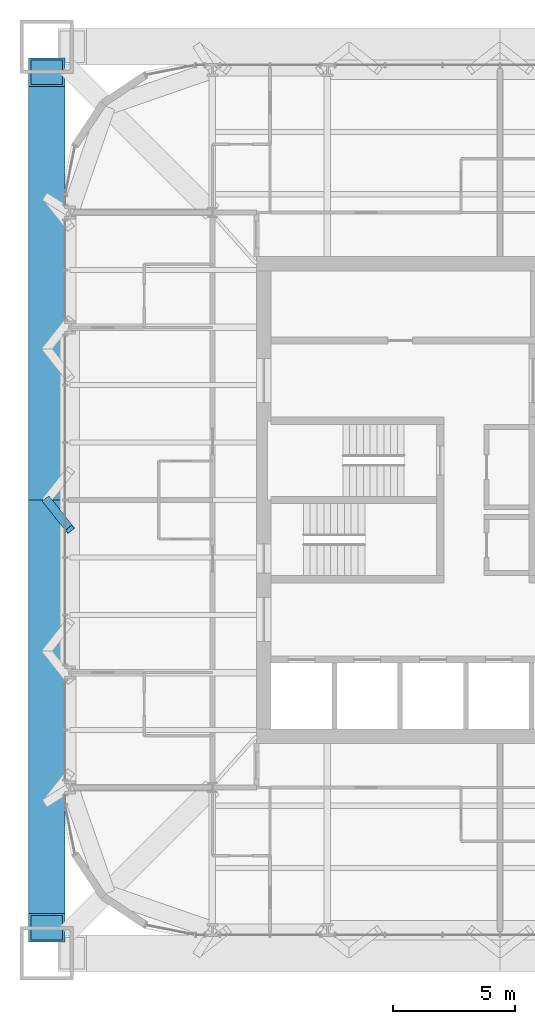
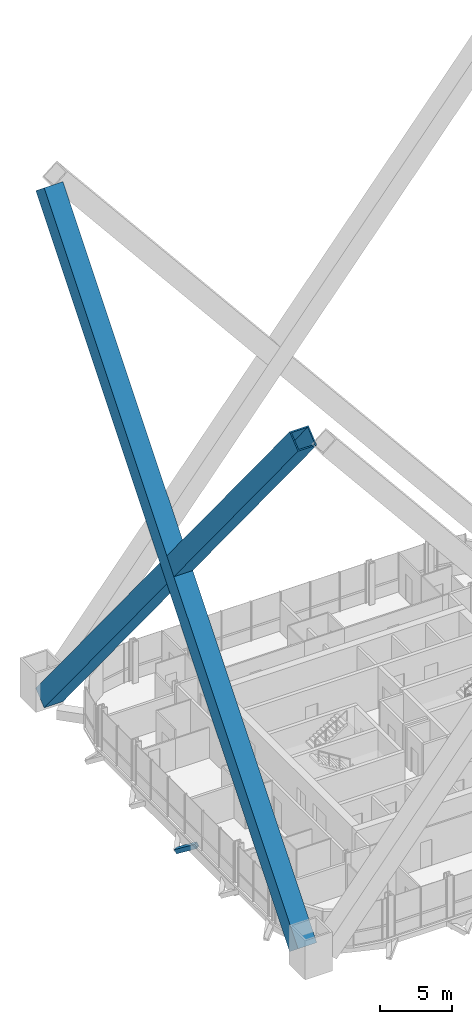
# One storey, part 5 of 23: 2 members, 1 beam.
"""IFC4 building model written with IfcOpenShell, lengths in metres."""

import ifcopenshell
import ifcopenshell.guid

model = None  # the IFC model being written
_history = None  # IfcOwnerHistory: only IFC2X3 demands one
_inside = {}  # id of a spatial element -> (the spatial element, [elements in it])
_under = {}  # id of a project, library or spatial element -> (it, [spatial elements below it])
_declared = {}  # id of a project -> (the project, [libraries it declares])
_typed = {}  # id of a type object -> (the type object, [elements of that type])
_made_of = {}  # id of a material, layer set ... -> (it, [elements and type objects made of it])


def new_model(schema):
    """Start an empty IFC model of exactly this schema.

    Asked for "IFC4X3", IfcOpenShell would pick the latest addendum, in which some entities
    have other attributes; the version numbers below select the first issue.
    IFC2X3 requires an IfcOwnerHistory on every rooted entity: one is made here for all.
    """
    global model, _history
    if schema == "IFC4X3":
        model = ifcopenshell.file(schema_version=(4, 3, 0, 0))
    else:
        model = ifcopenshell.file(schema=schema)
    _inside.clear()
    _under.clear()
    _declared.clear()
    _typed.clear()
    _made_of.clear()
    _history = None
    if model.schema == "IFC2X3":
        org = make("IfcOrganization", Name="unknown")
        user = make(
            "IfcPersonAndOrganization",
            ThePerson=make("IfcPerson", FamilyName="unknown"),
            TheOrganization=org,
        )
        app = make(
            "IfcApplication",
            ApplicationDeveloper=org,
            Version="unknown",
            ApplicationFullName="unknown",
            ApplicationIdentifier="unknown",
        )
        _history = make(
            "IfcOwnerHistory",
            OwningUser=user,
            OwningApplication=app,
            ChangeAction="ADDED",
            CreationDate=0,
        )
    return model


def make(cls, **values):
    """One entity of the class cls with the attributes given. An attribute that is None is left unset."""
    return model.create_entity(
        cls, **{name: value for name, value in values.items() if value is not None}
    )


def rooted(cls, **values):
    """An entity with a GlobalId (a new one), such as an element, a storey or a relation."""
    return make(cls, GlobalId=ifcopenshell.guid.new(), OwnerHistory=_history, **values)


def si_unit(unit_type, name, prefix=None):
    """IfcSIUnit, for example si_unit("LENGTHUNIT", "METRE", prefix="MILLI")."""
    return make("IfcSIUnit", UnitType=unit_type, Prefix=prefix, Name=name)


def assignment(units):
    """IfcUnitAssignment: the units of a project."""
    return None if units is None else make("IfcUnitAssignment", Units=units)


def point(xyz):
    """IfcCartesianPoint."""
    return None if xyz is None else make("IfcCartesianPoint", Coordinates=xyz)


def direction(xyz):
    """IfcDirection."""
    return None if xyz is None else make("IfcDirection", DirectionRatios=xyz)


def frame(location, z_axis=None, x_axis=None):
    """IfcAxis2Placement3D, a coordinate frame: its origin and axes. An axis left out is left unset."""
    return make(
        "IfcAxis2Placement3D",
        Location=point(location),
        Axis=direction(z_axis),
        RefDirection=direction(x_axis),
    )


def frame_2d(location, x_axis=None):
    """IfcAxis2Placement2D, a coordinate frame in the plane: its origin and x axis."""
    return make(
        "IfcAxis2Placement2D", Location=point(location), RefDirection=direction(x_axis)
    )


def origin():
    """The frame at (0, 0, 0) with its axes left unset."""
    return frame((0.0, 0.0, 0.0))


def origin_2d():
    """The frame at (0, 0) in the plane with its x axis left unset."""
    return frame_2d((0.0, 0.0))


def place(relative_to, where):
    """IfcLocalPlacement: puts the frame where relative to a parent placement (None: the world)."""
    return make(
        "IfcLocalPlacement", PlacementRelTo=relative_to, RelativePlacement=where
    )


def context(
    kind, dimensions, precision=None, world=None, true_north=None, identifier=None
):
    """IfcGeometricRepresentationContext, for example the 3D "Model" context."""
    return make(
        "IfcGeometricRepresentationContext",
        ContextIdentifier=identifier,
        ContextType=kind,
        CoordinateSpaceDimension=dimensions,
        Precision=precision,
        WorldCoordinateSystem=world,
        TrueNorth=true_north,
    )


def subcontext(parent, identifier, kind, view, scale=None):
    """IfcGeometricRepresentationSubContext, for example "Body" below "Model"."""
    return make(
        "IfcGeometricRepresentationSubContext",
        ContextIdentifier=identifier,
        ContextType=kind,
        ParentContext=parent,
        TargetScale=scale,
        TargetView=view,
    )


def project(units=None, contexts=None):
    """IfcProject with its units and contexts."""
    return rooted(
        "IfcProject",
        Name="project",
        RepresentationContexts=contexts,
        UnitsInContext=assignment(units),
    )


def spatial(cls, under=None, at=None, **own):
    """A site, building, storey or space (cls), placed at a placement, below another one or the project."""
    s = rooted(cls, ObjectPlacement=at, **own)
    if under is not None:
        _under.setdefault(under.id(), (under, []))[1].append(s)
    return s


def profile(cls, at=None, kind="AREA", **sizes):
    """A parametric profile (cls). Its sizes go by their IFC names, for example OverallWidth=200.0."""
    return make(cls, ProfileType=kind, Position=at, **sizes)


def hollow_rectangle(**sizes):
    """IfcRectangleHollowProfileDef."""
    return profile("IfcRectangleHollowProfileDef", **sizes)


def extrude(swept, where, along, depth):
    """IfcExtrudedAreaSolid: the profile swept, set in the frame where, extruded along a direction by depth."""
    return make(
        "IfcExtrudedAreaSolid",
        SweptArea=swept,
        Position=where,
        ExtrudedDirection=direction(along),
        Depth=depth,
    )


def shape(context_of_items, identifier, shape_type, items):
    """IfcShapeRepresentation: the items that make up one representation, for example the "Body"."""
    return make(
        "IfcShapeRepresentation",
        ContextOfItems=context_of_items,
        RepresentationIdentifier=identifier,
        RepresentationType=shape_type,
        Items=items,
    )


def material(Name=None, Category=None):
    """IfcMaterial."""
    return make("IfcMaterial", Name=Name, Category=Category)


def material_profile(
    of_material, cross_section, Name=None, Category=None, Priority=None
):
    """IfcMaterialProfile: a cross section and its material."""
    return make(
        "IfcMaterialProfile",
        Name=Name,
        Material=of_material,
        Profile=cross_section,
        Priority=Priority,
        Category=Category,
    )


def profile_set(profiles, Name=None, composite=None):
    """IfcMaterialProfileSet."""
    return make(
        "IfcMaterialProfileSet",
        Name=Name,
        MaterialProfiles=profiles,
        CompositeProfile=composite,
    )


def made_of(thing, what):
    """Note that an element or type object is made of a material, layer set ...; save() writes the relation."""
    if what is not None:
        _made_of.setdefault(what.id(), (what, []))[1].append(thing)
    return thing


def type_object(cls, material=None, **own):
    """A type object (cls), such as IfcWallType, which elements share."""
    return made_of(rooted(cls, **own), material)


def element(
    cls,
    number,
    at=None,
    inside=None,
    cuts=None,
    type_object=None,
    material=None,
    context=None,
    identifier="Body",
    shape_type=None,
    held_by="IfcProductDefinitionShape",
    body=None,
    shapes=None,
    **own,
):
    """One element of the class cls, such as IfcWall. Its Tag is "e" and its number.

    at: its placement. inside: the storey or other place that contains it. cuts: it is an
    opening in that element (IfcRelVoidsElement). A single representation is given by context,
    identifier, shape_type and body (its items); several are given by shapes. held_by: the class
    of the entity that holds the representations. save() writes the other relations.
    """
    e = rooted(cls, Tag="e%d" % number, ObjectPlacement=at, **own)
    if body is not None:
        shapes = [shape(context, identifier, shape_type, body)]
    if shapes is not None:
        e.Representation = make(held_by, Representations=shapes)
    if inside is not None:
        _inside.setdefault(inside.id(), (inside, []))[1].append(e)
    if cuts is not None:
        rooted(
            "IfcRelVoidsElement", RelatingBuildingElement=cuts, RelatedOpeningElement=e
        )
    if type_object is not None:
        _typed.setdefault(type_object.id(), (type_object, []))[1].append(e)
    return made_of(e, material)


def aggregate(whole, parts):
    """IfcRelAggregates: a whole, such as a stair, and the parts it consists of."""
    return rooted("IfcRelAggregates", RelatingObject=whole, RelatedObjects=parts)


def save(model, path):
    """Write the relations noted so far, then the file.

    IfcRelAggregates (storeys below a building ...), IfcRelContainedInSpatialStructure (elements
    in a storey), IfcRelDefinesByType, IfcRelAssociatesMaterial and IfcRelDeclares: one each for
    every whole, place, type object, material and project.
    """
    for whole, parts in _under.values():
        aggregate(whole, parts)
    for where, things in _inside.values():
        rooted(
            "IfcRelContainedInSpatialStructure",
            RelatedElements=things,
            RelatingStructure=where,
        )
    for kind, things in _typed.values():
        rooted("IfcRelDefinesByType", RelatedObjects=things, RelatingType=kind)
    for what, things in _made_of.values():
        rooted("IfcRelAssociatesMaterial", RelatedObjects=things, RelatingMaterial=what)
    for by, libraries in _declared.values():
        rooted("IfcRelDeclares", RelatingContext=by, RelatedDefinitions=libraries)
    model.write(path)


model = new_model("IFC4")

# Units and contexts
model_context = context("Model", 3, precision=1e-05, world=origin(), true_north=direction((0.0, 1.0)))
body_context = subcontext(model_context, "Body", "Model", "MODEL_VIEW")
ifc_project = project(units=[si_unit("LENGTHUNIT", "METRE"), si_unit("AREAUNIT", "SQUARE_METRE"), si_unit("VOLUMEUNIT", "CUBIC_METRE"), si_unit("PLANEANGLEUNIT", "RADIAN"), si_unit("MASSUNIT", "GRAM", prefix="KILO")], contexts=[model_context])

# Site, building, storey
site_placement = place(None, origin())
site = spatial("IfcSite", under=ifc_project, at=site_placement, CompositionType="ELEMENT")
building_placement = place(site_placement, origin())
building = spatial("IfcBuilding", under=site, at=building_placement, Name="Turquesa Mirador Hotel Tower", CompositionType="ELEMENT")
storey_placement = place(building_placement, frame((0.0, 0.0, 226.699951171875)))
storey = spatial("IfcBuildingStorey", under=building, at=storey_placement, Name="L61", CompositionType="ELEMENT", Elevation=226.699951171875)

# Beam
ifc_material_1 = material(Name="Steel ASTM A500 Grade C", Category="steel")
ifc_material_profile_1 = material_profile(ifc_material_1, hollow_rectangle(XDim=0.355712890625, YDim=0.355712890625, WallThickness=0.0146484375, at=origin_2d()), Name="HSS14X14X5/8")
ifc_profile_set_1 = profile_set([ifc_material_profile_1], Name="Steel ASTM A500 Grade C")
beam_type = type_object("IfcBeamType", Name="BRACE STRUT HSS14X14X5/8", PredefinedType="BEAM", material=ifc_profile_set_1)
beam_placement = place(storey_placement, frame((36.39990234375, 45.0, -1.199951171875), z_axis=(0.542379264492, -0.684941954003, 0.486496919924), x_axis=(0.783971428146, 0.620796907089, 0.0)))
element("IfcBeam", 1, at=beam_placement, inside=storey, type_object=beam_type, Name="Brace strut", PredefinedType="BEAM", context=body_context, shape_type="SweptSolid", body=[
    extrude(hollow_rectangle(XDim=0.355712890625, YDim=0.355712890625, WallThickness=0.0146484375, at=origin_2d()), origin(), (0.0, 0.0, 1.0), 1.751953125),
])

# Members
ifc_material_2 = material(Name="Steel ASTM A572 Grade 50", Category="steel")
ifc_material_profile_2 = material_profile(ifc_material_2, hollow_rectangle(XDim=1.5, YDim=1.5, WallThickness=0.10009765625, at=origin_2d()), Name="BOX1500X1500X100")
ifc_profile_set_2 = profile_set([ifc_material_profile_2], Name="Steel ASTM A572 Grade 50")
member_type = type_object("IfcMemberType", Name="MEGA BRACE BOX1500X1500X100", PredefinedType="BRACE", material=ifc_profile_set_2)
for number, where, z_axis, x_axis, name in (
    (2, (36.39990234375, 27.449951171875, 1.284423828125), (0.0, 0.632961323464, 0.774183416897), (-1.0, 0.0, 0.0), "Mega brace Z4 W 1"),
    (3, (36.39990234375, 62.550048828125, 1.284423828125), (0.0, -0.632961323464, 0.774183416897), (1.0, 0.0, 0.0), "Mega brace Z4 W 2"),
):
    element("IfcMember", number, at=place(storey_placement, frame(where, z_axis=z_axis, x_axis=x_axis)), inside=storey, type_object=member_type, Name=name, PredefinedType="BRACE", context=body_context, shape_type="SweptSolid", body=[
        extrude(hollow_rectangle(XDim=1.5, YDim=1.5, WallThickness=0.10009765625, at=origin_2d()), origin(), (0.0, 0.0, 1.0), 55.453857421875),
    ])

save(model, "model.ifc")
